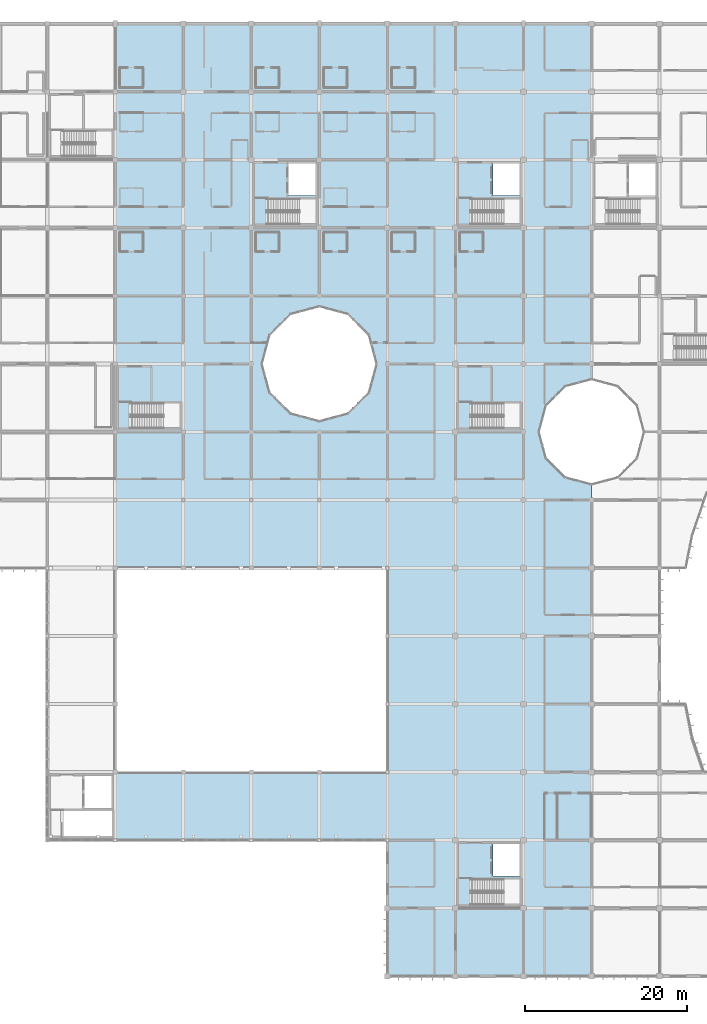
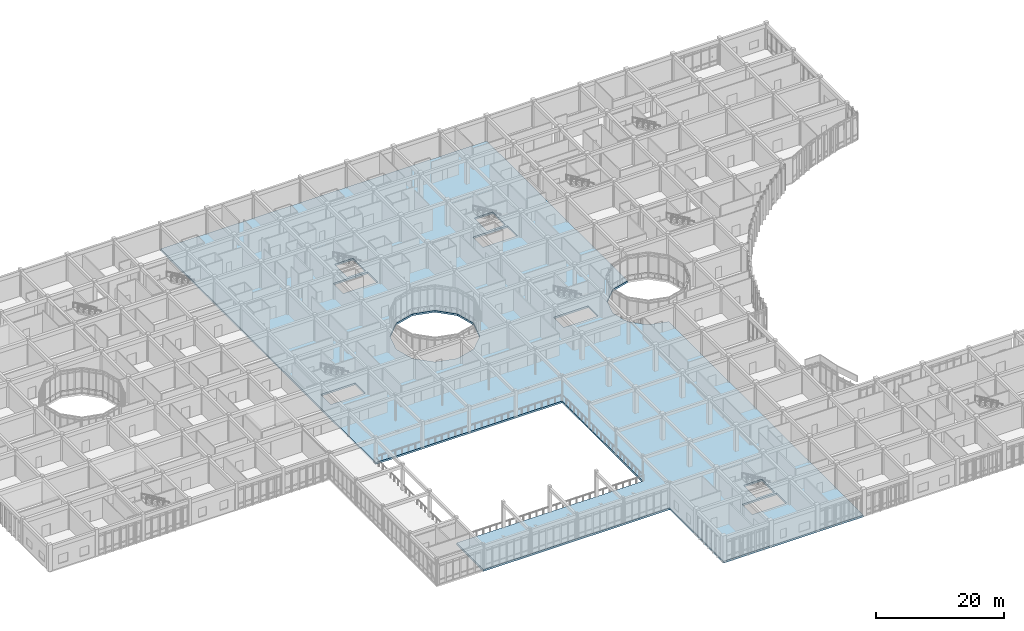
# One storey, part 71 of 134: 1 slab.
"""IFC4 building model written with IfcOpenShell, lengths in metres."""

from ifc_helpers import new_model, si_unit, direction, frame, origin, place, context, subcontext, project, spatial, polyline, outline, extrude, material, layer, layer_set, type_object, element, save


model = new_model("IFC4")

# Units and contexts
model_context = context("Model", 3, precision=1e-05, world=origin(), true_north=direction((0.0, 1.0)))
body_context = subcontext(model_context, "Body", "Model", "MODEL_VIEW")
ifc_project = project(units=[si_unit("LENGTHUNIT", "METRE"), si_unit("AREAUNIT", "SQUARE_METRE"), si_unit("VOLUMEUNIT", "CUBIC_METRE"), si_unit("PLANEANGLEUNIT", "RADIAN"), si_unit("MASSUNIT", "GRAM", prefix="KILO")], contexts=[model_context])

# Site, building, storey
site_placement = place(None, origin())
site = spatial("IfcSite", under=ifc_project, at=site_placement, CompositionType="ELEMENT")
building_placement = place(site_placement, origin())
building = spatial("IfcBuilding", under=site, at=building_placement, Name="Bramfleet General Hospital", CompositionType="ELEMENT")
storey_placement = place(building_placement, frame((0.0, 0.0, 9.300048828125)))
storey = spatial("IfcBuildingStorey", under=building, at=storey_placement, Name="L02", CompositionType="ELEMENT", Elevation=9.300048828125)

# Slab
ifc_material = material(Name="Concrete C35/45", Category="concrete")
ifc_layer = layer(ifc_material, 0.35009765625, Name="SL-FLR-350")
ifc_layer_set = layer_set([ifc_layer], Name="Concrete C35/45")
slab_type = type_object("IfcSlabType", Name="SL-FLR-350", PredefinedType="FLOOR", material=ifc_layer_set)
slab_placement = place(storey_placement, frame((0.0, 0.0, -0.35009765625)))
element("IfcSlab", 1, at=slab_placement, inside=storey, type_object=slab_type, Name="L02 Structural Floor Slab (CENTRE)", PredefinedType="FLOOR", context=body_context, shape_type="SweptSolid", body=[
    extrude(outline(polyline([(67.199951171875, 117.60009765625), (75.60009765625, 117.60009765625), (84.0, 117.60009765625), (92.39990234375, 117.60009765625), (100.800048828125, 117.60009765625), (109.199951171875, 117.60009765625), (117.60009765625, 117.60009765625), (117.60009765625, 73.60009765625), (114.39990234375, 72.74267578125), (112.057373046875, 70.39990234375), (111.199951171875, 67.199951171875), (112.057373046875, 64.0), (114.39990234375, 61.657470703125), (117.60009765625, 60.800048828125), (117.60009765625, 0.0), (109.199951171875, 0.0), (100.800048828125, 0.0), (92.39990234375, 0.0), (92.39990234375, 8.39990234375), (92.39990234375, 16.800048828125), (84.0, 16.800048828125), (75.60009765625, 16.800048828125), (67.199951171875, 16.800048828125), (58.800048828125, 16.800048828125), (58.800048828125, 25.199951171875), (92.39990234375, 25.199951171875), (92.39990234375, 50.39990234375), (58.800048828125, 50.39990234375), (58.800048828125, 117.60009765625), (67.199951171875, 117.60009765625)]), holes=[polyline([(77.937744140625, 72.10009765625), (80.5, 69.537841796875), (84.0, 68.60009765625), (87.5, 69.537841796875), (90.062255859375, 72.10009765625), (91.0, 75.60009765625), (90.062255859375, 79.10009765625), (87.5, 81.662109375), (84.0, 82.60009765625), (80.5, 81.662109375), (77.937744140625, 79.10009765625), (77.0, 75.60009765625), (77.937744140625, 72.10009765625)]), polyline([(102.639892578125, 8.820068359375), (108.860107421875, 8.820068359375), (108.860107421875, 11.97998046875), (102.639892578125, 11.97998046875), (102.639892578125, 8.820068359375)]), polyline([(105.419921875, 12.39990234375), (108.75, 12.39990234375), (108.75, 16.35009765625), (105.419921875, 16.35009765625), (105.419921875, 12.39990234375)]), polyline([(102.639892578125, 92.820068359375), (108.860107421875, 92.820068359375), (108.860107421875, 95.97998046875), (102.639892578125, 95.97998046875), (102.639892578125, 92.820068359375)]), polyline([(105.419921875, 96.39990234375), (108.75, 96.39990234375), (108.75, 100.35009765625), (105.419921875, 100.35009765625), (105.419921875, 96.39990234375)]), polyline([(77.43994140625, 92.820068359375), (83.659912109375, 92.820068359375), (83.659912109375, 95.97998046875), (77.43994140625, 95.97998046875), (77.43994140625, 92.820068359375)]), polyline([(80.219970703125, 96.39990234375), (83.550048828125, 96.39990234375), (83.550048828125, 100.35009765625), (80.219970703125, 100.35009765625), (80.219970703125, 96.39990234375)]), polyline([(102.639892578125, 67.6201171875), (108.860107421875, 67.6201171875), (108.860107421875, 70.780029296875), (102.639892578125, 70.780029296875), (102.639892578125, 67.6201171875)]), polyline([(60.639892578125, 67.6201171875), (66.860107421875, 67.6201171875), (66.860107421875, 70.780029296875), (60.639892578125, 70.780029296875), (60.639892578125, 67.6201171875)])]), origin(), (0.0, 0.0, 1.0), 0.35009765625),
])

save(model, "model.ifc")
